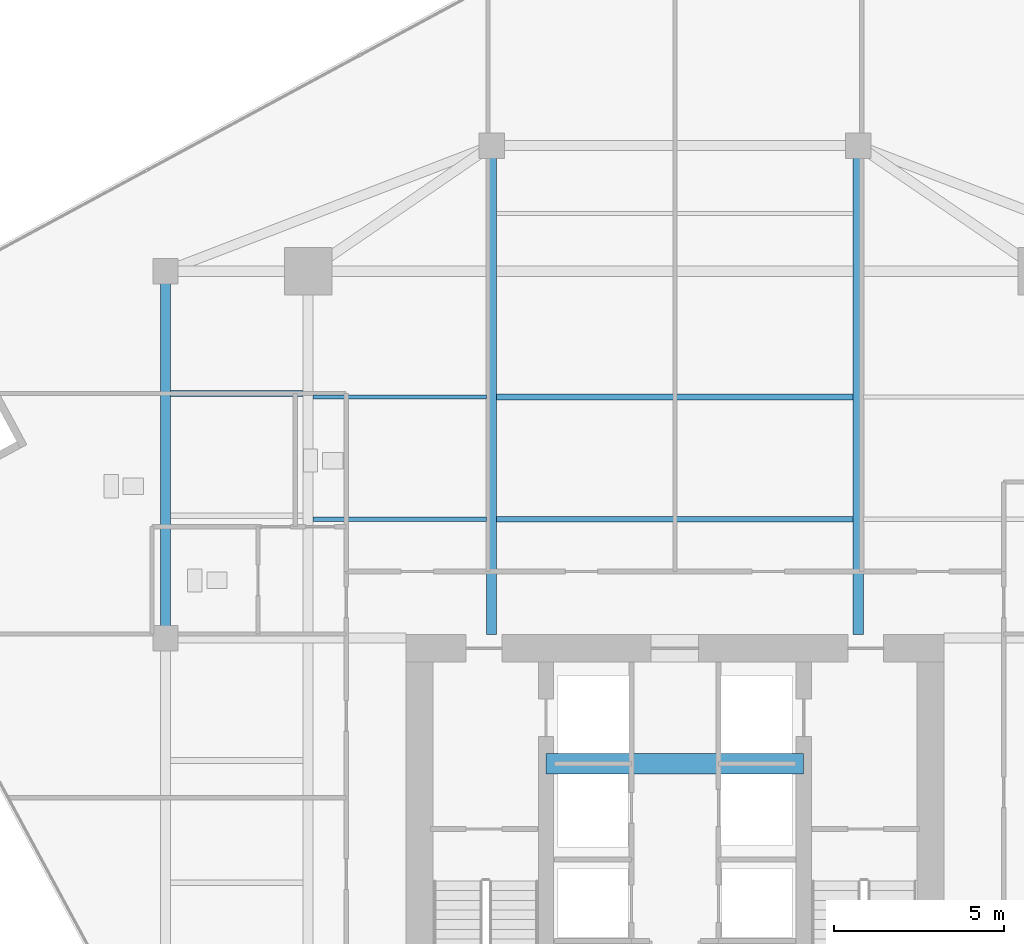
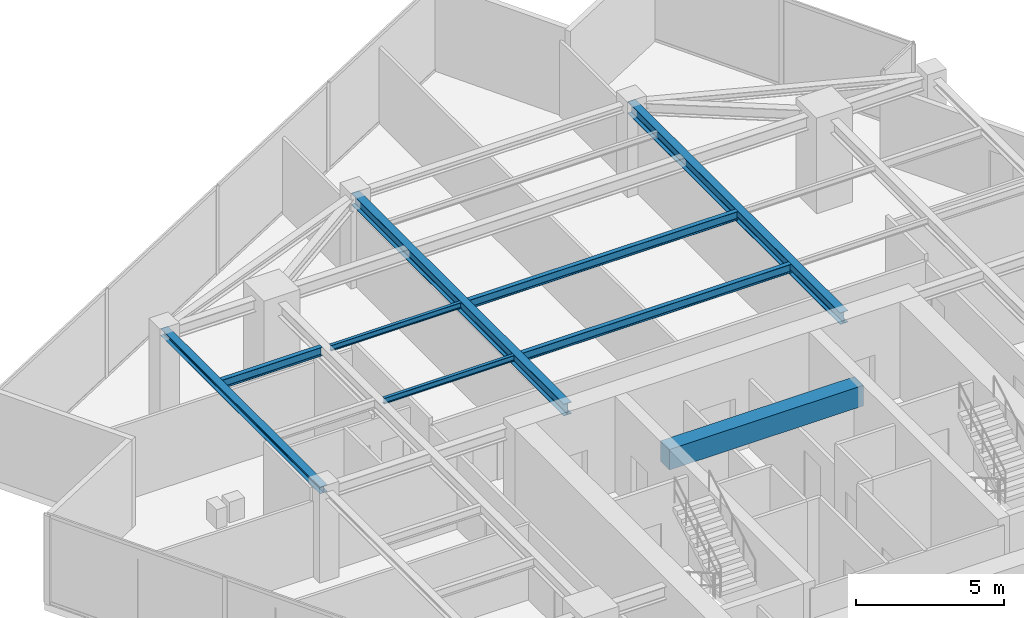
# One storey, part 7 of 22: 9 beams.
"""IFC4 building model written with IfcOpenShell, lengths in metres."""

from ifc_helpers import new_model, si_unit, direction, frame, origin, origin_2d, place, context, subcontext, project, spatial, rectangle, i_section, extrude, source, transform, mapped, material, material_profile, profile_set, type_object, type_shapes, element, save


model = new_model("IFC4")

# Units and contexts
model_context = context("Model", 3, precision=1e-05, world=origin(), true_north=direction((0.0, 1.0)))
body_context = subcontext(model_context, "Body", "Model", "MODEL_VIEW")
ifc_project = project(units=[si_unit("LENGTHUNIT", "METRE"), si_unit("AREAUNIT", "SQUARE_METRE"), si_unit("VOLUMEUNIT", "CUBIC_METRE"), si_unit("PLANEANGLEUNIT", "RADIAN"), si_unit("MASSUNIT", "GRAM", prefix="KILO")], contexts=[model_context])

# Site, building, storey
site_placement = place(None, origin())
site = spatial("IfcSite", under=ifc_project, at=site_placement, CompositionType="ELEMENT")
building_placement = place(site_placement, origin())
building = spatial("IfcBuilding", under=site, at=building_placement, Name="Krantzveldt Concourse Tower", CompositionType="ELEMENT")
storey_placement = place(building_placement, frame((0.0, 0.0, 306.89990234375)))
storey = spatial("IfcBuildingStorey", under=building, at=storey_placement, Name="L75", CompositionType="ELEMENT", Elevation=306.89990234375)

# Beams
ifc_material_1 = material(Name="Steel S355JR", Category="steel")
ifc_material_profile_1 = material_profile(ifc_material_1, i_section(OverallWidth=0.169921875, OverallDepth=0.360107421875, WebThickness=0.008056640625, FlangeThickness=0.0126953125, FilletRadius=0.01806640625, at=origin_2d()), Name="Steel S355JR", Category="steel")
ifc_profile_set_1 = profile_set([ifc_material_profile_1], Name="Steel S355JR - IPE 360")
beam_type_1 = type_object("IfcBeamType", Name="BM-J-IPE360", PredefinedType="JOIST", material=ifc_profile_set_1)
shared_shape_1 = source(origin(), body_context, "Body", "SweptSolid", [
    extrude(i_section(OverallWidth=0.169921875, OverallDepth=0.360107421875, WebThickness=0.008056640625, FlangeThickness=0.0126953125, FilletRadius=0.01806640625, at=origin_2d()), origin(), (0.0, 0.0, 1.0), 10.5),
])
for number, where, z_axis, x_axis, name in (
    (1, (30.75, 30.199951171875, 3.489990234375), (1.0, 0.0, 0.0), (0.0, 1.0, 0.0), "L75 Secondary Floor Joist JN-C1"),
    (2, (30.75, 33.800048828125, 3.489990234375), (1.0, 0.0, 0.0), (0.0, 1.0, 0.0), "L75 Secondary Floor Joist JN-C2"),
):
    element("IfcBeam", number, at=place(storey_placement, frame(where, z_axis=z_axis, x_axis=x_axis)), inside=storey, type_object=beam_type_1, Name=name, PredefinedType="JOIST", context=body_context, shape_type="MappedRepresentation", body=[
        mapped(shared_shape_1, transform((0.0, 0.0, 0.0), x_axis=(1.0, 0.0, 0.0), y_axis=(0.0, 1.0, 0.0), z_axis=(0.0, 0.0, 1.0), scale=1.0)),
    ])
ifc_material_profile_2 = material_profile(ifc_material_1, i_section(OverallWidth=0.300048828125, OverallDepth=0.489990234375, WebThickness=0.011962890625, FlangeThickness=0.02294921875, FilletRadius=0.027099609375, at=origin_2d()), Name="Steel S355JR", Category="steel")
ifc_profile_set_2 = profile_set([ifc_material_profile_2], Name="Steel S355JR - HEA 500")
beam_type_2 = type_object("IfcBeamType", Name="BM-B-HEA500", PredefinedType="BEAM", material=ifc_profile_set_2)
shared_shape_2 = source(origin(), body_context, "Body", "SweptSolid", [
    extrude(i_section(OverallWidth=0.300048828125, OverallDepth=0.489990234375, WebThickness=0.011962890625, FlangeThickness=0.02294921875, FilletRadius=0.027099609375, at=origin_2d()), origin(), (0.0, 0.0, 1.0), 14.39990234375),
])
type_shapes(beam_type_2, [shared_shape_2])
for number, where, z_axis, x_axis, name in (
    (3, (30.60009765625, 26.800048828125, 3.425048828125), (0.0, 1.0, 0.0), (-1.0, 0.0, 0.0), "L75 Tower Girder BG-CNW"),
    (4, (41.39990234375, 26.800048828125, 3.425048828125), (0.0, 1.0, 0.0), (-1.0, 0.0, 0.0), "L75 Tower Girder BG-CNE"),
):
    element("IfcBeam", number, at=place(storey_placement, frame(where, z_axis=z_axis, x_axis=x_axis)), inside=storey, type_object=beam_type_2, Name=name, PredefinedType="BEAM", context=body_context, shape_type="MappedRepresentation", body=[
        mapped(shared_shape_2, transform((0.0, 0.0, 0.0), x_axis=(1.0, 0.0, 0.0), y_axis=(0.0, 1.0, 0.0), z_axis=(0.0, 0.0, 1.0), scale=1.0)),
    ])
ifc_material_2 = material(Name="Concrete C50/60", Category="concrete")
ifc_material_profile_3 = material_profile(ifc_material_2, rectangle(XDim=0.60009765625, YDim=0.85009765625, at=origin_2d()), Name="Concrete C50/60", Category="concrete")
ifc_profile_set_3 = profile_set([ifc_material_profile_3], Name="Concrete C50/60 - RC-CB 600x850")
beam_type_3 = type_object("IfcBeamType", Name="BM-CB-850", PredefinedType="LINTEL", material=ifc_profile_set_3)
shared_shape_3 = source(origin(), body_context, "Body", "SweptSolid", [
    extrude(rectangle(XDim=0.60009765625, YDim=0.85009765625, at=origin_2d()), origin(), (0.0, 0.0, 1.0), 7.580078125),
])
type_shapes(beam_type_3, [shared_shape_3])
beam_1_placement = place(storey_placement, frame((32.2099609375, 23.0, 3.2451171875), z_axis=(1.0, 0.0, 0.0), x_axis=(0.0, 1.0, 0.0)))
element("IfcBeam", 5, at=beam_1_placement, inside=storey, type_object=beam_type_3, Name="CB-L75-01", PredefinedType="LINTEL", context=body_context, shape_type="MappedRepresentation", body=[
    mapped(shared_shape_3, transform((0.0, 0.0, 0.0), x_axis=(1.0, 0.0, 0.0), y_axis=(0.0, 1.0, 0.0), z_axis=(0.0, 0.0, 1.0), scale=1.0)),
])
ifc_material_profile_4 = material_profile(ifc_material_1, i_section(OverallWidth=0.2900390625, OverallDepth=0.2900390625, WebThickness=0.008544921875, FlangeThickness=0.013916015625, FilletRadius=0.027099609375, at=origin_2d()), Name="Steel S355JR", Category="steel")
ifc_profile_set_4 = profile_set([ifc_material_profile_4], Name="Steel S355JR - HEA 300")
beam_type_4 = type_object("IfcBeamType", Name="BM-SP-HEA300", PredefinedType="SPANDREL", material=ifc_profile_set_4)
shared_shape_4 = source(origin(), body_context, "Body", "SweptSolid", [
    extrude(i_section(OverallWidth=0.2900390625, OverallDepth=0.2900390625, WebThickness=0.008544921875, FlangeThickness=0.013916015625, FilletRadius=0.027099609375, at=origin_2d()), origin(), (0.0, 0.0, 1.0), 10.800048828125),
])
type_shapes(beam_type_4, [shared_shape_4])
beam_2_placement = place(storey_placement, frame((21.0, 26.699951171875, 3.525146484375), z_axis=(0.0, 1.0, 0.0), x_axis=(-1.0, 0.0, 0.0)))
element("IfcBeam", 6, at=beam_2_placement, inside=storey, type_object=beam_type_4, Name="L75 Tower Girder SP-R02", PredefinedType="SPANDREL", context=body_context, shape_type="MappedRepresentation", body=[
    mapped(shared_shape_4, transform((0.0, 0.0, 0.0), x_axis=(1.0, 0.0, 0.0), y_axis=(0.0, 1.0, 0.0), z_axis=(0.0, 0.0, 1.0), scale=1.0)),
])
ifc_material_profile_5 = material_profile(ifc_material_1, i_section(OverallWidth=0.1201171875, OverallDepth=0.239990234375, WebThickness=0.006103515625, FlangeThickness=0.009765625, FilletRadius=0.014892578125, at=origin_2d()), Name="Steel S355JR", Category="steel")
ifc_profile_set_5 = profile_set([ifc_material_profile_5], Name="Steel S355JR - IPE 240")
beam_type_5 = type_object("IfcBeamType", Name="BM-LN-IPE240", PredefinedType="LINTEL", material=ifc_profile_set_5)
shared_shape_5 = source(origin(), body_context, "Body", "SweptSolid", [
    extrude(i_section(OverallWidth=0.1201171875, OverallDepth=0.239990234375, WebThickness=0.006103515625, FlangeThickness=0.009765625, FilletRadius=0.014892578125, at=origin_2d()), origin(), (0.0, 0.0, 1.0), 5.099853515625),
])
type_shapes(beam_type_5, [shared_shape_5])
for number, where, z_axis, x_axis, name in (
    (7, (25.35009765625, 30.199951171875, 3.550048828125), (1.0, 0.0, 0.0), (0.0, 1.0, 0.0), "L75 Secondary Floor Joist JN-W1"),
    (8, (25.35009765625, 33.800048828125, 3.550048828125), (1.0, 0.0, 0.0), (0.0, 1.0, 0.0), "L75 Secondary Floor Joist JN-W2"),
):
    element("IfcBeam", number, at=place(storey_placement, frame(where, z_axis=z_axis, x_axis=x_axis)), inside=storey, type_object=beam_type_5, Name=name, PredefinedType="LINTEL", context=body_context, shape_type="MappedRepresentation", body=[
        mapped(shared_shape_5, transform((0.0, 0.0, 0.0), x_axis=(1.0, 0.0, 0.0), y_axis=(0.0, 1.0, 0.0), z_axis=(0.0, 0.0, 1.0), scale=1.0)),
    ])
shared_shape_6 = source(origin(), body_context, "Body", "SweptSolid", [
    extrude(i_section(OverallWidth=0.169921875, OverallDepth=0.360107421875, WebThickness=0.008056640625, FlangeThickness=0.0126953125, FilletRadius=0.01806640625, at=origin_2d()), origin(), (0.0, 0.0, 1.0), 3.900146484375),
])
type_shapes(beam_type_1, [shared_shape_1, shared_shape_6])
beam_3_placement = place(storey_placement, frame((21.14990234375, 33.89990234375, 3.489990234375), z_axis=(1.0, 0.0, 0.0), x_axis=(0.0, 1.0, 0.0)))
element("IfcBeam", 9, at=beam_3_placement, inside=storey, type_object=beam_type_1, Name="L75 Secondary Floor Joist JW-4", PredefinedType="JOIST", context=body_context, shape_type="MappedRepresentation", body=[
    mapped(shared_shape_6, transform((0.0, 0.0, 0.0), x_axis=(1.0, 0.0, 0.0), y_axis=(0.0, 1.0, 0.0), z_axis=(0.0, 0.0, 1.0), scale=1.0)),
])

save(model, "model.ifc")
